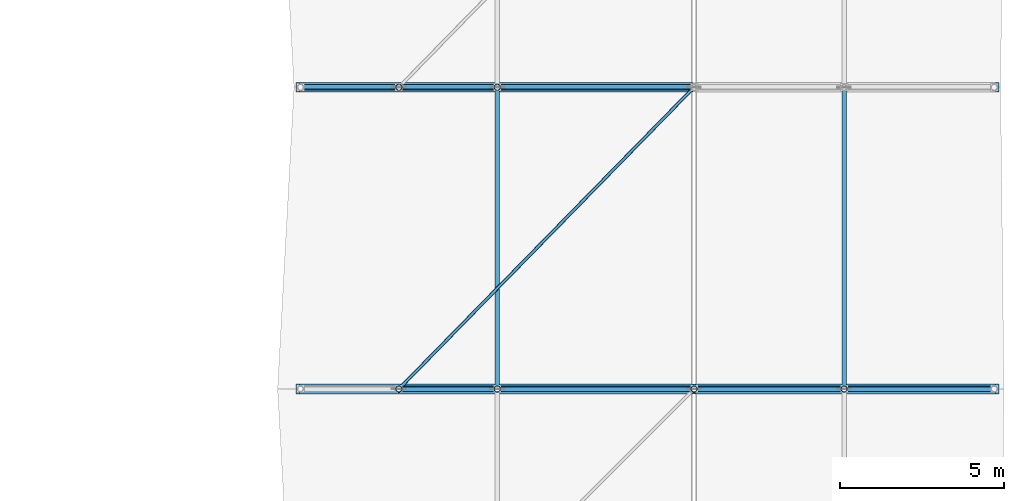
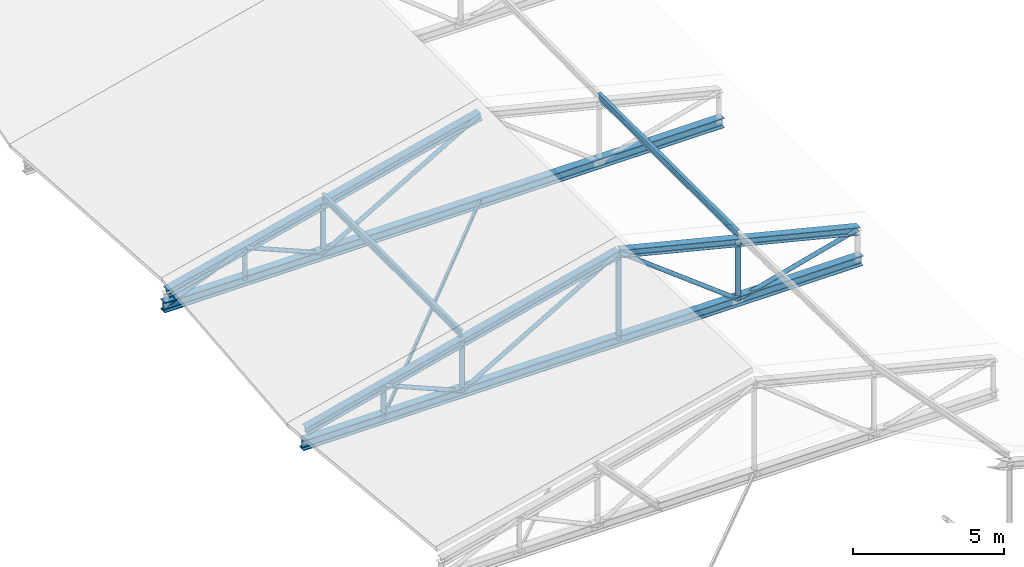
# One storey, part 13 of 33: 19 members, 2 beams.
"""IFC4 building model written with IfcOpenShell, lengths in metres."""

from ifc_helpers import new_model, si_unit, direction, frame, origin, origin_2d, place, context, subcontext, project, spatial, hollow_rectangle, hollow_circle, i_section, extrude, material, material_profile, profile_set, type_object, element, save


model = new_model("IFC4")

# Units and contexts
model_context = context("Model", 3, precision=1e-05, world=origin(), true_north=direction((0.0, 1.0)))
body_context = subcontext(model_context, "Body", "Model", "MODEL_VIEW")
ifc_project = project(units=[si_unit("LENGTHUNIT", "METRE"), si_unit("AREAUNIT", "SQUARE_METRE"), si_unit("VOLUMEUNIT", "CUBIC_METRE"), si_unit("PLANEANGLEUNIT", "RADIAN"), si_unit("MASSUNIT", "GRAM", prefix="KILO")], contexts=[model_context])

# Site, building, storey
site_placement = place(None, origin())
site = spatial("IfcSite", under=ifc_project, at=site_placement, CompositionType="ELEMENT")
building_placement = place(site_placement, origin())
building = spatial("IfcBuilding", under=site, at=building_placement, Name="Bozkorgan Art Gallery", CompositionType="ELEMENT")
storey_placement = place(building_placement, frame((0.0, 0.0, 19.5)))
storey = spatial("IfcBuildingStorey", under=building, at=storey_placement, Name="L04", CompositionType="ELEMENT", Elevation=19.5)

# Beams
ifc_material = material(Name="Steel S355J2", Category="steel")
ifc_material_profile_1 = material_profile(ifc_material, i_section(OverallWidth=0.300048828125, OverallDepth=0.39990234375, WebThickness=0.013427734375, FlangeThickness=0.02392578125, FilletRadius=0.027099609375, at=origin_2d()), Name="HEB 400")
ifc_profile_set_1 = profile_set([ifc_material_profile_1], Name="Steel S355J2")
beam_type = type_object("IfcBeamType", Name="BEAM-TO-32", PredefinedType="BEAM", material=ifc_profile_set_1)
for number, where, z_axis, x_axis, name in (
    (1, (142.860107421875, 20.0, 0.199951171875), (1.0, 0.0, 0.0), (0.0, 1.0, 0.0), "ROOF-V6-MAIN roof truss 3 bottom chord"),
    (2, (142.860107421875, 29.199951171875, 0.199951171875), (1.0, 0.0, 0.0), (0.0, 1.0, 0.0), "ROOF-V6-MAIN roof truss 4 bottom chord"),
):
    element("IfcBeam", number, at=place(storey_placement, frame(where, z_axis=z_axis, x_axis=x_axis)), inside=storey, type_object=beam_type, Name=name, PredefinedType="BEAM", context=body_context, shape_type="SweptSolid", body=[
        extrude(i_section(OverallWidth=0.300048828125, OverallDepth=0.39990234375, WebThickness=0.013427734375, FlangeThickness=0.02392578125, FilletRadius=0.027099609375, at=origin_2d()), origin(), (0.0, 0.0, 1.0), 21.429931640625),
    ])

# Members
ifc_material_profile_2 = material_profile(ifc_material, i_section(OverallWidth=0.135009765625, OverallDepth=0.27001953125, WebThickness=0.006591796875, FlangeThickness=0.01025390625, FilletRadius=0.014892578125, at=origin_2d()), Name="IPE 270")
ifc_profile_set_2 = profile_set([ifc_material_profile_2], Name="Steel S355J2")
member_type_1 = type_object("IfcMemberType", Name="MEMBER-PR-57", PredefinedType="PURLIN", material=ifc_profile_set_2)
for number, where, z_axis, x_axis, name in (
    (3, (149.0, 20.0, 2.502197265625), (0.0, 1.0, 0.0), (-1.0, 0.0, 0.0), "ROOF-V6-MAIN roof purlin 3W"),
    (4, (159.574951171875, 20.0, 2.857421875), (0.0, 1.0, 0.0), (-1.0, 0.0, 0.0), "ROOF-V6-MAIN roof purlin 3E"),
):
    element("IfcMember", number, at=place(storey_placement, frame(where, z_axis=z_axis, x_axis=x_axis)), inside=storey, type_object=member_type_1, Name=name, PredefinedType="PURLIN", context=body_context, shape_type="SweptSolid", body=[
        extrude(i_section(OverallWidth=0.135009765625, OverallDepth=0.27001953125, WebThickness=0.006591796875, FlangeThickness=0.01025390625, FilletRadius=0.014892578125, at=origin_2d()), origin(), (0.0, 0.0, 1.0), 9.199951171875),
    ])
ifc_material_profile_3 = material_profile(ifc_material, i_section(OverallWidth=0.300048828125, OverallDepth=0.31005859375, WebThickness=0.009033203125, FlangeThickness=0.015380859375, FilletRadius=0.027099609375, at=origin_2d()), Name="HEA 320")
ifc_profile_set_3 = profile_set([ifc_material_profile_3], Name="Steel S355J2")
member_type_2 = type_object("IfcMemberType", Name="MEMBER-TC-13", PredefinedType="CHORD", material=ifc_profile_set_3)
member_1_placement = place(storey_placement, frame((143.0, 20.0, 0.71630859375), z_axis=(0.970300220947, 0.0, 0.241903867747), x_axis=(0.0, 1.0, 0.0)))
element("IfcMember", 5, at=member_1_placement, inside=storey, type_object=member_type_2, Name="ROOF-V6-MAIN roof truss 3 west top chord", PredefinedType="CHORD", context=body_context, shape_type="SweptSolid", body=[
    extrude(i_section(OverallWidth=0.300048828125, OverallDepth=0.31005859375, WebThickness=0.009033203125, FlangeThickness=0.015380859375, FilletRadius=0.027099609375, at=origin_2d()), origin(), (0.0, 0.0, 1.0), 12.3671875),
])
member_2_placement = place(storey_placement, frame((155.0, 20.0, 3.7080078125), z_axis=(0.970297639918, 0.0, -0.241914220273), x_axis=(0.0, 1.0, 0.0)))
element("IfcMember", 6, at=member_2_placement, inside=storey, type_object=member_type_2, Name="ROOF-V6-MAIN roof truss 3 east top chord", PredefinedType="CHORD", context=body_context, shape_type="SweptSolid", body=[
    extrude(i_section(OverallWidth=0.300048828125, OverallDepth=0.31005859375, WebThickness=0.009033203125, FlangeThickness=0.015380859375, FilletRadius=0.027099609375, at=origin_2d()), origin(), (0.0, 0.0, 1.0), 9.429931640625),
])
member_3_placement = place(storey_placement, frame((143.0, 29.199951171875, 0.71630859375), z_axis=(0.970300220947, 0.0, 0.241903867747), x_axis=(0.0, 1.0, 0.0)))
element("IfcMember", 7, at=member_3_placement, inside=storey, type_object=member_type_2, Name="ROOF-V6-MAIN roof truss 4 west top chord", PredefinedType="CHORD", context=body_context, shape_type="SweptSolid", body=[
    extrude(i_section(OverallWidth=0.300048828125, OverallDepth=0.31005859375, WebThickness=0.009033203125, FlangeThickness=0.015380859375, FilletRadius=0.027099609375, at=origin_2d()), origin(), (0.0, 0.0, 1.0), 12.3671875),
])
ifc_material_profile_4 = material_profile(ifc_material, hollow_circle(Radius=0.096923828125, WallThickness=0.008056640625, at=origin_2d()), Name="CHS 193.7x8")
ifc_profile_set_4 = profile_set([ifc_material_profile_4], Name="Steel S355J2")
member_type_3 = type_object("IfcMemberType", Name="MEMBER-TP-46", PredefinedType="POST", material=ifc_profile_set_4)
member_4_placement = place(storey_placement, frame((146.0, 20.0, 0.199951171875), z_axis=(0.0, 0.0, 1.0), x_axis=(1.0, 0.0, 0.0)))
element("IfcMember", 8, at=member_4_placement, inside=storey, type_object=member_type_3, Name="ROOF-V6-MAIN roof truss 3 post 1", PredefinedType="POST", context=body_context, shape_type="SweptSolid", body=[
    extrude(hollow_circle(Radius=0.096923828125, WallThickness=0.008056640625, at=origin_2d()), origin(), (0.0, 0.0, 1.0), 1.26416015625),
])
member_5_placement = place(storey_placement, frame((149.0, 20.0, 0.199951171875), z_axis=(0.0, 0.0, 1.0), x_axis=(1.0, 0.0, 0.0)))
element("IfcMember", 9, at=member_5_placement, inside=storey, type_object=member_type_3, Name="ROOF-V6-MAIN roof truss 3 post 2", PredefinedType="POST", context=body_context, shape_type="SweptSolid", body=[
    extrude(hollow_circle(Radius=0.096923828125, WallThickness=0.008056640625, at=origin_2d()), origin(), (0.0, 0.0, 1.0), 2.01220703125),
])
member_6_placement = place(storey_placement, frame((155.0, 20.0, 0.199951171875), z_axis=(0.0, 0.0, 1.0), x_axis=(1.0, 0.0, 0.0)))
element("IfcMember", 10, at=member_6_placement, inside=storey, type_object=member_type_3, Name="ROOF-V6-MAIN roof truss 3 post 3", PredefinedType="POST", context=body_context, shape_type="SweptSolid", body=[
    extrude(hollow_circle(Radius=0.096923828125, WallThickness=0.008056640625, at=origin_2d()), origin(), (0.0, 0.0, 1.0), 3.508056640625),
])
member_7_placement = place(storey_placement, frame((159.574951171875, 20.0, 0.199951171875), z_axis=(0.0, 0.0, 1.0), x_axis=(1.0, 0.0, 0.0)))
element("IfcMember", 11, at=member_7_placement, inside=storey, type_object=member_type_3, Name="ROOF-V6-MAIN roof truss 3 post 4", PredefinedType="POST", context=body_context, shape_type="SweptSolid", body=[
    extrude(hollow_circle(Radius=0.096923828125, WallThickness=0.008056640625, at=origin_2d()), origin(), (0.0, 0.0, 1.0), 2.367431640625),
])
member_8_placement = place(storey_placement, frame((146.0, 29.199951171875, 0.199951171875), z_axis=(0.0, 0.0, 1.0), x_axis=(1.0, 0.0, 0.0)))
element("IfcMember", 12, at=member_8_placement, inside=storey, type_object=member_type_3, Name="ROOF-V6-MAIN roof truss 4 post 1", PredefinedType="POST", context=body_context, shape_type="SweptSolid", body=[
    extrude(hollow_circle(Radius=0.096923828125, WallThickness=0.008056640625, at=origin_2d()), origin(), (0.0, 0.0, 1.0), 1.26416015625),
])
member_9_placement = place(storey_placement, frame((149.0, 29.199951171875, 0.199951171875), z_axis=(0.0, 0.0, 1.0), x_axis=(1.0, 0.0, 0.0)))
element("IfcMember", 13, at=member_9_placement, inside=storey, type_object=member_type_3, Name="ROOF-V6-MAIN roof truss 4 post 2", PredefinedType="POST", context=body_context, shape_type="SweptSolid", body=[
    extrude(hollow_circle(Radius=0.096923828125, WallThickness=0.008056640625, at=origin_2d()), origin(), (0.0, 0.0, 1.0), 2.01220703125),
])
ifc_material_profile_5 = material_profile(ifc_material, hollow_circle(Radius=0.084228515625, WallThickness=0.008056640625, at=origin_2d()), Name="CHS 168.3x8")
ifc_profile_set_5 = profile_set([ifc_material_profile_5], Name="Steel S355J2")
member_type_4 = type_object("IfcMemberType", Name="MEMBER-TW-40", PredefinedType="BRACE", material=ifc_profile_set_5)
member_10_placement = place(storey_placement, frame((146.0, 20.0, 1.464111328125), z_axis=(0.921525229324, 0.0, -0.38831849263), x_axis=(0.0, 1.0, 0.0)))
element("IfcMember", 14, at=member_10_placement, inside=storey, type_object=member_type_4, Name="ROOF-V6-MAIN roof truss 3 diagonal 2", PredefinedType="BRACE", context=body_context, shape_type="SweptSolid", body=[
    extrude(hollow_circle(Radius=0.084228515625, WallThickness=0.008056640625, at=origin_2d()), origin(), (0.0, 0.0, 1.0), 3.25537109375),
])
member_11_placement = place(storey_placement, frame((149.0, 20.0, 0.199951171875), z_axis=(0.86327395375, 0.0, 0.504735654355), x_axis=(0.0, 1.0, 0.0)))
element("IfcMember", 15, at=member_11_placement, inside=storey, type_object=member_type_4, Name="ROOF-V6-MAIN roof truss 3 diagonal 3", PredefinedType="BRACE", context=body_context, shape_type="SweptSolid", body=[
    extrude(hollow_circle(Radius=0.084228515625, WallThickness=0.008056640625, at=origin_2d()), origin(), (0.0, 0.0, 1.0), 6.9501953125),
])
member_12_placement = place(storey_placement, frame((155.0, 20.0, 3.7080078125), z_axis=(0.793556602122, 0.0, -0.608496441426), x_axis=(0.0, 1.0, 0.0)))
element("IfcMember", 16, at=member_12_placement, inside=storey, type_object=member_type_4, Name="ROOF-V6-MAIN roof truss 3 diagonal 4", PredefinedType="BRACE", context=body_context, shape_type="SweptSolid", body=[
    extrude(hollow_circle(Radius=0.084228515625, WallThickness=0.008056640625, at=origin_2d()), origin(), (0.0, 0.0, 1.0), 5.76513671875),
])
member_13_placement = place(storey_placement, frame((159.574951171875, 20.0, 0.199951171875), z_axis=(0.965875551998, 0.0, 0.259006598473), x_axis=(0.0, 1.0, 0.0)))
element("IfcMember", 17, at=member_13_placement, inside=storey, type_object=member_type_4, Name="ROOF-V6-MAIN roof truss 3 diagonal 5", PredefinedType="BRACE", context=body_context, shape_type="SweptSolid", body=[
    extrude(hollow_circle(Radius=0.084228515625, WallThickness=0.008056640625, at=origin_2d()), origin(), (0.0, 0.0, 1.0), 4.736572265625),
])
for number, where, z_axis, x_axis, name in (
    (18, (143.0, 29.199951171875, 0.199951171875), (0.921525229324, 0.0, 0.38831849263), (0.0, 1.0, 0.0), "ROOF-V6-MAIN roof truss 4 diagonal 1"),
    (19, (146.0, 29.199951171875, 1.464111328125), (0.921525229324, 0.0, -0.38831849263), (0.0, 1.0, 0.0), "ROOF-V6-MAIN roof truss 4 diagonal 2"),
):
    element("IfcMember", number, at=place(storey_placement, frame(where, z_axis=z_axis, x_axis=x_axis)), inside=storey, type_object=member_type_4, Name=name, PredefinedType="BRACE", context=body_context, shape_type="SweptSolid", body=[
        extrude(hollow_circle(Radius=0.084228515625, WallThickness=0.008056640625, at=origin_2d()), origin(), (0.0, 0.0, 1.0), 3.25537109375),
    ])
member_14_placement = place(storey_placement, frame((149.0, 29.199951171875, 0.199951171875), z_axis=(0.86327395375, 0.0, 0.504735654355), x_axis=(0.0, 1.0, 0.0)))
element("IfcMember", 20, at=member_14_placement, inside=storey, type_object=member_type_4, Name="ROOF-V6-MAIN roof truss 4 diagonal 3", PredefinedType="BRACE", context=body_context, shape_type="SweptSolid", body=[
    extrude(hollow_circle(Radius=0.084228515625, WallThickness=0.008056640625, at=origin_2d()), origin(), (0.0, 0.0, 1.0), 6.9501953125),
])
ifc_material_profile_6 = material_profile(ifc_material, hollow_rectangle(XDim=0.10009765625, YDim=0.14990234375, WallThickness=0.008056640625, InnerFilletRadius=0.011962890625, OuterFilletRadius=0.02001953125, at=origin_2d()), Name="RHS 150x100x8")
ifc_profile_set_6 = profile_set([ifc_material_profile_6], Name="Steel S355J2")
member_type_5 = type_object("IfcMemberType", Name="MEMBER-WB-10", PredefinedType="BRACE", material=ifc_profile_set_6)
member_15_placement = place(storey_placement, frame((146.0, 20.0, 0.199951171875), z_axis=(0.699296051965, 0.714832170307, 0.0), x_axis=(-0.714832170307, 0.699296051965, 0.0)))
element("IfcMember", 21, at=member_15_placement, inside=storey, type_object=member_type_5, Name="ROOF-V6-MAIN roof diaphragm wind brace 3", PredefinedType="BRACE", context=body_context, shape_type="SweptSolid", body=[
    extrude(hollow_rectangle(XDim=0.10009765625, YDim=0.14990234375, WallThickness=0.008056640625, InnerFilletRadius=0.011962890625, OuterFilletRadius=0.02001953125, at=origin_2d()), origin(), (0.0, 0.0, 1.0), 12.8701171875),
])

save(model, "model.ifc")
